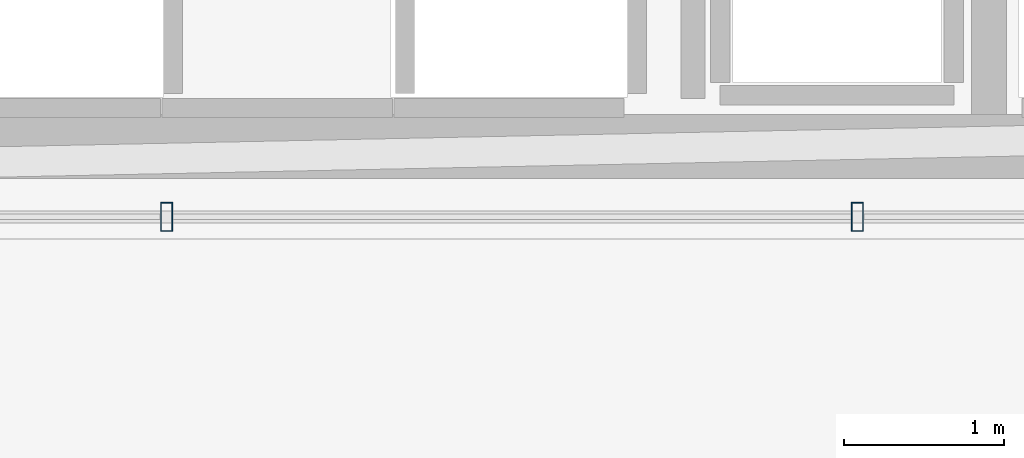
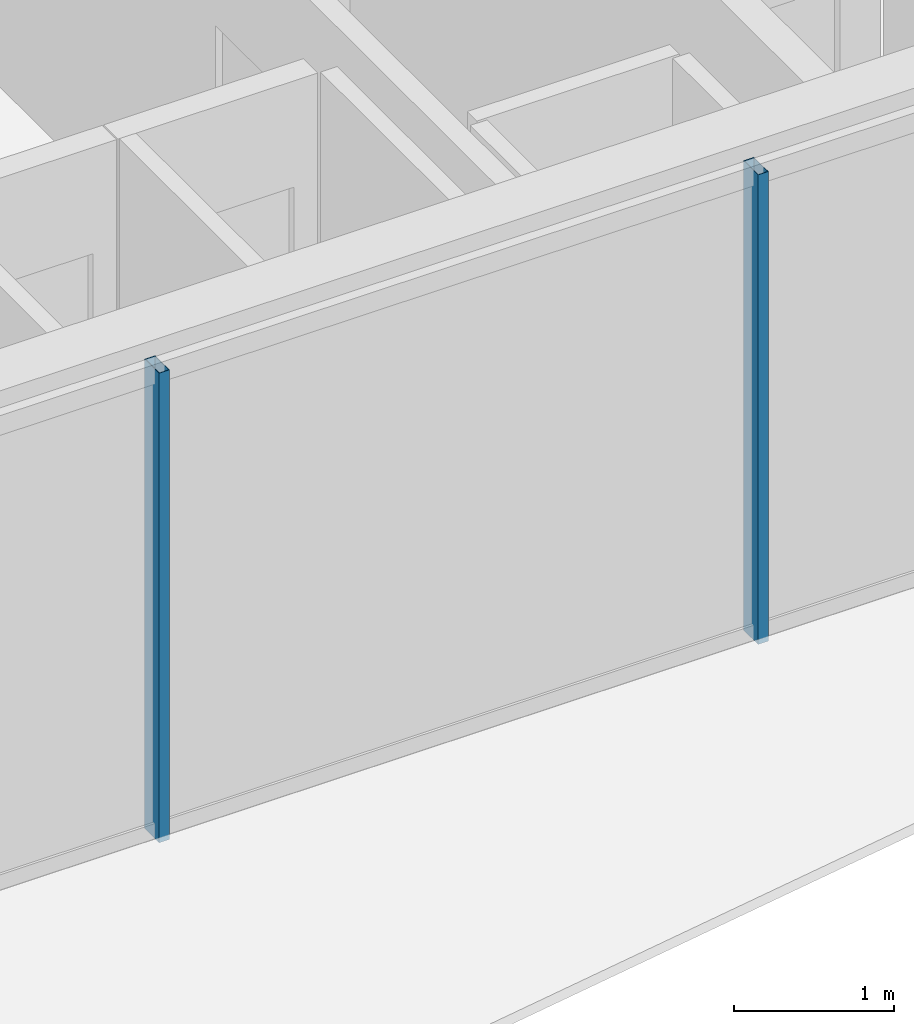
# One storey, part 8 of 37: 2 members, 1 element without a shape of its own.
"""IFC4 building model written with IfcOpenShell, lengths in metres."""

from ifc_helpers import new_model, si_unit, direction, frame, origin, origin_2d, place, context, subcontext, project, spatial, hollow_rectangle, extrude, material, layer, layer_set, material_profile, profile_set, type_object, element, aggregate, save


model = new_model("IFC4")

# Units and contexts
model_context = context("Model", 3, precision=1e-05, world=origin(), true_north=direction((0.0, 1.0)))
body_context = subcontext(model_context, "Body", "Model", "MODEL_VIEW")
ifc_project = project(units=[si_unit("LENGTHUNIT", "METRE"), si_unit("AREAUNIT", "SQUARE_METRE"), si_unit("VOLUMEUNIT", "CUBIC_METRE"), si_unit("PLANEANGLEUNIT", "RADIAN"), si_unit("MASSUNIT", "GRAM", prefix="KILO")], contexts=[model_context])

# Site, building, storey
site_placement = place(None, origin())
site = spatial("IfcSite", under=ifc_project, at=site_placement, CompositionType="ELEMENT")
building_placement = place(site_placement, origin())
building = spatial("IfcBuilding", under=site, at=building_placement, Name="Ndaravel Arena Tower", CompositionType="ELEMENT")
storey_placement = place(building_placement, frame((0.0, 0.0, 218.0)))
storey = spatial("IfcBuildingStorey", under=building, at=storey_placement, Name="L52", CompositionType="ELEMENT", Elevation=218.0)

# Curtain wall, members
ifc_material_1 = material(Name="Aluminium", Category="aluminium")
ifc_layer = layer(ifc_material_1, 0.179931640625)
ifc_layer_set = layer_set([ifc_layer], Name="Aluminium")
curtain_wall_type = type_object("IfcCurtainWallType", Name="CW-SYS-03", PredefinedType="NOTDEFINED", material=ifc_layer_set)
curtain_wall_placement = place(storey_placement, origin())
curtain_wall = element("IfcCurtainWall", 1, at=curtain_wall_placement, inside=storey, type_object=curtain_wall_type, Name="L52 Faceted Crystal Curtain Wall CW-L52-E01", PredefinedType="NOTDEFINED")
ifc_material_2 = material(Name="Aluminium", Category="aluminium")
ifc_material_profile = material_profile(ifc_material_2, hollow_rectangle(XDim=0.074951171875, YDim=0.179931640625, WallThickness=0.00390625, at=origin_2d()), Name="CW MULLION 75x180x4")
ifc_profile_set = profile_set([ifc_material_profile], Name="Aluminium")
member_type = type_object("IfcMemberType", Name="MEM-CW-MUL180", PredefinedType="MULLION", material=ifc_profile_set)
member_1_placement = place(storey_placement, frame((44.1591796875, 5.159912109375, 0.0), z_axis=(0.0, 0.0, 1.0), x_axis=(1.0, 0.0, 0.0)))
member_1 = element("IfcMember", 2, at=member_1_placement, type_object=member_type, Name="CW-L52-E01 Mullion 05", PredefinedType="MULLION", context=body_context, shape_type="SweptSolid", body=[
    extrude(hollow_rectangle(XDim=0.074951171875, YDim=0.179931640625, WallThickness=0.00390625, at=origin_2d()), origin(), (0.0, 0.0, 1.0), 3.580078125),
])
member_2_placement = place(storey_placement, frame((48.477783203125, 5.159912109375, 0.0), z_axis=(0.0, 0.0, 1.0), x_axis=(1.0, 0.0, 0.0)))
member_2 = element("IfcMember", 3, at=member_2_placement, type_object=member_type, Name="CW-L52-E01 Mullion 06", PredefinedType="MULLION", context=body_context, shape_type="SweptSolid", body=[
    extrude(hollow_rectangle(XDim=0.074951171875, YDim=0.179931640625, WallThickness=0.00390625, at=origin_2d()), origin(), (0.0, 0.0, 1.0), 3.580078125),
])
aggregate(curtain_wall, [member_1, member_2])

save(model, "model.ifc")
